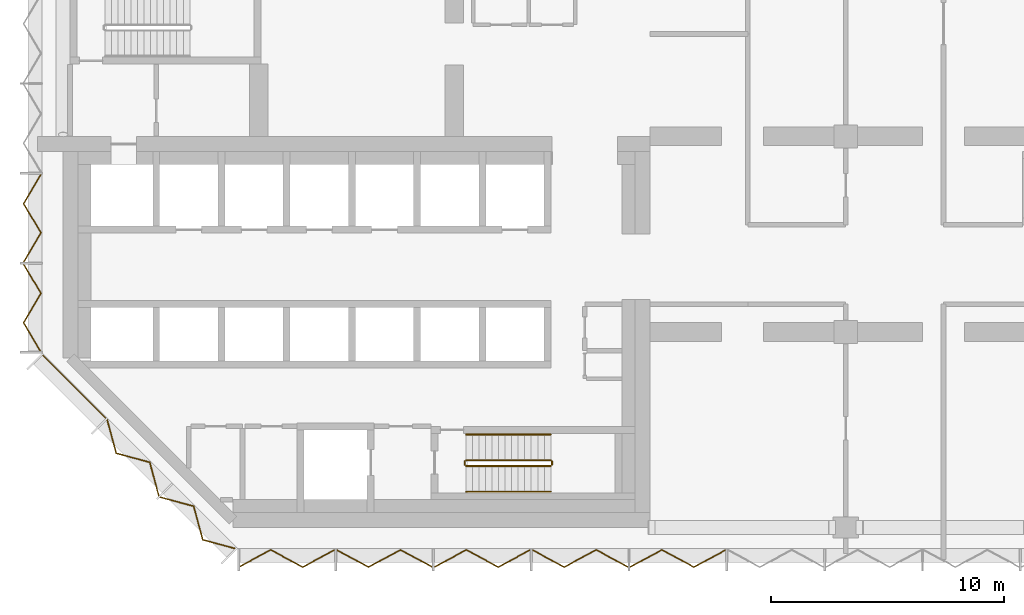
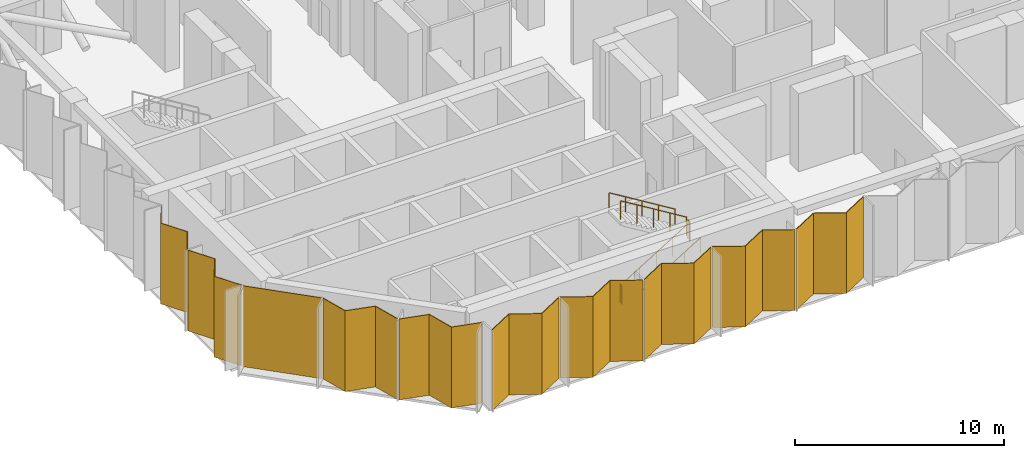
# One storey, part 9 of 13: 10 coverings, 6 railings, 3 elements without a shape of their own.
"""IFC4 building model written with IfcOpenShell, lengths in metres."""

from ifc_helpers import new_model, si_unit, direction, frame, origin, origin_2d, place, context, subcontext, project, spatial, polyline, circle, outline, extrude, material, layer, layer_set, type_object, element, aggregate, save


model = new_model("IFC4")

# Units and contexts
model_context = context("Model", 3, precision=1e-05, world=origin(), true_north=direction((0.0, 1.0)))
body_context = subcontext(model_context, "Body", "Model", "MODEL_VIEW")
ifc_project = project(units=[si_unit("LENGTHUNIT", "METRE"), si_unit("AREAUNIT", "SQUARE_METRE"), si_unit("VOLUMEUNIT", "CUBIC_METRE"), si_unit("PLANEANGLEUNIT", "RADIAN"), si_unit("MASSUNIT", "GRAM", prefix="KILO")], contexts=[model_context])

# Site, building, storey
site_placement = place(None, origin())
site = spatial("IfcSite", under=ifc_project, at=site_placement, CompositionType="ELEMENT")
building_placement = place(site_placement, origin())
building = spatial("IfcBuilding", under=site, at=building_placement, Name="Brevane Broadcast Tower", CompositionType="ELEMENT")
storey_placement = place(building_placement, frame((0.0, 0.0, 162.0)))
storey = spatial("IfcBuildingStorey", under=building, at=storey_placement, Name="L40", CompositionType="ELEMENT", Elevation=162.0)

# Curtain wall, coverings
ifc_material_1 = material(Name="Aluminium 6063-T6 bronze anodised", Category="aluminium")
curtain_wall_type = type_object("IfcCurtainWallType", Name="CW-3 curtain wall", PredefinedType="NOTDEFINED", material=ifc_material_1)
curtain_wall_1_placement = place(storey_placement, origin())
curtain_wall_1 = element("IfcCurtainWall", 1, at=curtain_wall_1_placement, inside=storey, type_object=curtain_wall_type, Name="CW-3 refuge louvre unit L40 south face", PredefinedType="NOTDEFINED")
ifc_material_2 = material(Name="Aluminium bronze anodised cladding", Category="aluminium")
ifc_layer = layer(ifc_material_2, 0.050048828125)
ifc_layer_set = layer_set([ifc_layer], Name="CW refuge spandrel 50")
covering_type = type_object("IfcCoveringType", Name="CW refuge spandrel 50", PredefinedType="CLADDING", material=ifc_layer_set)
covering_1_placement = place(storey_placement, frame((0.0, 0.0, -0.159912109375)))
covering_1 = element("IfcCovering", 2, at=covering_1_placement, type_object=covering_type, Name="Refuge cladding panel", PredefinedType="CLADDING", context=body_context, shape_type="SweptSolid", body=[
    extrude(outline(polyline([(7.5400390625, -1.671630859375), (7.5400390625, -1.717041015625), (8.913330078125, -0.97265625), (10.28662109375, -1.717041015625), (11.659912109375, -0.97265625), (11.659912109375, -0.92724609375), (10.28662109375, -1.671630859375), (8.913330078125, -0.92724609375), (7.5400390625, -1.671630859375)])), origin(), (0.0, 0.0, 1.0), 4.7099609375),
])
covering_2_placement = place(storey_placement, frame((0.0, 0.0, -0.159912109375)))
covering_2 = element("IfcCovering", 3, at=covering_2_placement, type_object=covering_type, Name="Refuge cladding panel", PredefinedType="CLADDING", context=body_context, shape_type="SweptSolid", body=[
    extrude(outline(polyline([(11.739990234375, -0.92724609375), (11.739990234375, -0.97265625), (13.11328125, -1.717041015625), (14.48681640625, -0.97265625), (15.860107421875, -1.717041015625), (15.860107421875, -1.671630859375), (14.48681640625, -0.92724609375), (13.11328125, -1.671630859375), (11.739990234375, -0.92724609375)])), origin(), (0.0, 0.0, 1.0), 4.7099609375),
])
covering_3_placement = place(storey_placement, frame((0.0, 0.0, -0.159912109375)))
covering_3 = element("IfcCovering", 4, at=covering_3_placement, type_object=covering_type, Name="Refuge cladding panel", PredefinedType="CLADDING", context=body_context, shape_type="SweptSolid", body=[
    extrude(outline(polyline([(15.93994140625, -1.671630859375), (15.93994140625, -1.717041015625), (17.313232421875, -0.97265625), (18.686767578125, -1.717041015625), (20.06005859375, -0.97265625), (20.06005859375, -0.92724609375), (18.686767578125, -1.671630859375), (17.313232421875, -0.92724609375), (15.93994140625, -1.671630859375)])), origin(), (0.0, 0.0, 1.0), 4.7099609375),
])
covering_4_placement = place(storey_placement, frame((0.0, 0.0, -0.159912109375)))
covering_4 = element("IfcCovering", 5, at=covering_4_placement, type_object=covering_type, Name="Refuge cladding panel", PredefinedType="CLADDING", context=body_context, shape_type="SweptSolid", body=[
    extrude(outline(polyline([(20.139892578125, -0.92724609375), (20.139892578125, -0.97265625), (21.51318359375, -1.717041015625), (22.88671875, -0.97265625), (24.260009765625, -1.717041015625), (24.260009765625, -1.671630859375), (22.88671875, -0.92724609375), (21.51318359375, -1.671630859375), (20.139892578125, -0.92724609375)])), origin(), (0.0, 0.0, 1.0), 4.7099609375),
])
covering_5_placement = place(storey_placement, frame((0.0, 0.0, -0.159912109375)))
covering_5 = element("IfcCovering", 6, at=covering_5_placement, type_object=covering_type, Name="Refuge cladding panel", PredefinedType="CLADDING", context=body_context, shape_type="SweptSolid", body=[
    extrude(outline(polyline([(24.340087890625, -1.671630859375), (24.340087890625, -1.717041015625), (25.71337890625, -0.97265625), (27.086669921875, -1.717041015625), (28.4599609375, -0.97265625), (28.4599609375, -0.92724609375), (27.086669921875, -1.671630859375), (25.71337890625, -0.92724609375), (24.340087890625, -1.671630859375)])), origin(), (0.0, 0.0, 1.0), 4.7099609375),
])
aggregate(curtain_wall_1, [covering_1, covering_2, covering_3, covering_4, covering_5])

curtain_wall_2_placement = place(storey_placement, origin())
curtain_wall_2 = element("IfcCurtainWall", 7, at=curtain_wall_2_placement, inside=storey, type_object=curtain_wall_type, Name="CW-3 refuge louvre unit L40 west face", PredefinedType="NOTDEFINED")
covering_6_placement = place(storey_placement, frame((0.0, 0.0, -0.159912109375)))
covering_6 = element("IfcCovering", 8, at=covering_6_placement, type_object=covering_type, Name="Refuge cladding panel", PredefinedType="CLADDING", context=body_context, shape_type="SweptSolid", body=[
    extrude(outline(polyline([(-0.9267578125, 15.17431640625), (-0.97314453125, 15.17431640625), (-1.717529296875, 13.915283203125), (-0.97314453125, 12.65625), (-1.717529296875, 11.397216796875), (-1.671142578125, 11.397216796875), (-0.9267578125, 12.65625), (-1.671142578125, 13.915283203125), (-0.9267578125, 15.17431640625)])), origin(), (0.0, 0.0, 1.0), 4.7099609375),
])
covering_7_placement = place(storey_placement, frame((0.0, 0.0, -0.159912109375)))
covering_7 = element("IfcCovering", 9, at=covering_7_placement, type_object=covering_type, Name="Refuge cladding panel", PredefinedType="CLADDING", context=body_context, shape_type="SweptSolid", body=[
    extrude(outline(polyline([(-1.671142578125, 11.317138671875), (-1.717529296875, 11.317138671875), (-0.97314453125, 10.05810546875), (-1.717529296875, 8.799072265625), (-0.97314453125, 7.5400390625), (-0.9267578125, 7.5400390625), (-1.671142578125, 8.799072265625), (-0.9267578125, 10.05810546875), (-1.671142578125, 11.317138671875)])), origin(), (0.0, 0.0, 1.0), 4.7099609375),
])
aggregate(curtain_wall_2, [covering_6, covering_7])

curtain_wall_3_placement = place(storey_placement, origin())
curtain_wall_3 = element("IfcCurtainWall", 10, at=curtain_wall_3_placement, inside=storey, type_object=curtain_wall_type, Name="CW-3 refuge louvre unit L40 south-west chamfer", PredefinedType="NOTDEFINED")
covering_8_placement = place(storey_placement, frame((0.0, 0.0, -0.159912109375)))
covering_8 = element("IfcCovering", 11, at=covering_8_placement, type_object=covering_type, Name="Refuge cladding panel", PredefinedType="CLADDING", context=body_context, shape_type="SweptSolid", body=[
    extrude(outline(polyline([(-0.892822265625, 7.450439453125), (1.8505859375, 4.70703125), (1.822265625, 4.6787109375), (-0.921142578125, 7.422119140625), (-0.892822265625, 7.450439453125)])), origin(), (0.0, 0.0, 1.0), 4.7099609375),
])
covering_9_placement = place(storey_placement, frame((0.0, 0.0, -0.159912109375)))
covering_9 = element("IfcCovering", 12, at=covering_9_placement, type_object=covering_type, Name="Refuge cladding panel", PredefinedType="CLADDING", context=body_context, shape_type="SweptSolid", body=[
    extrude(outline(polyline([(1.9091796875, 4.652587890625), (1.876708984375, 4.6201171875), (2.2646484375, 3.17919921875), (3.70556640625, 2.791015625), (4.09375, 1.35009765625), (4.126220703125, 1.3828125), (3.73828125, 2.82373046875), (2.29736328125, 3.2119140625), (1.9091796875, 4.652587890625)])), origin(), (0.0, 0.0, 1.0), 4.7099609375),
])
covering_10_placement = place(storey_placement, frame((0.0, 0.0, -0.159912109375)))
covering_10 = element("IfcCovering", 13, at=covering_10_placement, type_object=covering_type, Name="Refuge cladding panel", PredefinedType="CLADDING", context=body_context, shape_type="SweptSolid", body=[
    extrude(outline(polyline([(4.182861328125, 1.326416015625), (4.150146484375, 1.293701171875), (5.591064453125, 0.905517578125), (5.979248046875, -0.535400390625), (7.419921875, -0.92333984375), (7.45263671875, -0.890869140625), (6.01171875, -0.502685546875), (5.623779296875, 0.938232421875), (4.182861328125, 1.326416015625)])), origin(), (0.0, 0.0, 1.0), 4.7099609375),
])
aggregate(curtain_wall_3, [covering_8, covering_9, covering_10])

# Railings
ifc_material_3 = material(Name="Steel S355", Category="steel")
railing_type_1 = type_object("IfcRailingType", Name="Exit stair guard", PredefinedType="GUARDRAIL", material=ifc_material_3)
railing_1_placement = place(storey_placement, frame((17.300048828125, 2.64990234375, 0.17138671875)))
element("IfcRailing", 14, at=railing_1_placement, inside=storey, type_object=railing_type_1, Name="L40 ST-2 stair guard 1", PredefinedType="GUARDRAIL", context=body_context, shape_type="SweptSolid", body=[
    extrude(circle(Radius=0.02392578125, at=origin_2d()), frame((0.0, 0.0, 1.076171875), z_axis=(0.852850264322, 0.0, 0.5221555579), x_axis=(0.0, 1.0, 0.0)), (0.0, 0.0, 1.0), 4.267822265625),
    extrude(circle(Radius=0.02099609375, at=origin_2d()), origin(), (0.0, 0.0, 1.0), 1.052001953125),
    extrude(circle(Radius=0.02099609375, at=origin_2d()), frame((0.909912109375, 0.0, 0.55712890625)), (0.0, 0.0, 1.0), 1.052001953125),
    extrude(circle(Radius=0.02099609375, at=origin_2d()), frame((1.81982421875, 0.0, 1.1142578125)), (0.0, 0.0, 1.0), 1.052001953125),
    extrude(circle(Radius=0.02099609375, at=origin_2d()), frame((2.72998046875, 0.0, 1.67138671875)), (0.0, 0.0, 1.0), 1.052001953125),
    extrude(circle(Radius=0.02099609375, at=origin_2d()), frame((3.639892578125, 0.0, 2.228515625)), (0.0, 0.0, 1.0), 1.052001953125),
])
railing_2_placement = place(storey_placement, frame((20.989990234375, 2.699951171875, 2.39990234375)))
element("IfcRailing", 15, at=railing_2_placement, inside=storey, type_object=railing_type_1, Name="L40 ST-2 stair guard 2", PredefinedType="GUARDRAIL", context=body_context, shape_type="SweptSolid", body=[
    extrude(circle(Radius=0.02392578125, at=origin_2d()), frame((0.0, 0.0, 1.076171875), z_axis=(0.0, 1.0, 0.0), x_axis=(-1.0, 0.0, 0.0)), (0.0, 0.0, 1.0), 0.150146484375),
    extrude(circle(Radius=0.02099609375, at=origin_2d()), origin(), (0.0, 0.0, 1.0), 1.052001953125),
    extrude(circle(Radius=0.02099609375, at=origin_2d()), frame((0.0, 0.150146484375, 0.0)), (0.0, 0.0, 1.0), 1.052001953125),
])
railing_3_placement = place(storey_placement, frame((20.93994140625, 2.89990234375, 2.571533203125)))
element("IfcRailing", 16, at=railing_3_placement, inside=storey, type_object=railing_type_1, Name="L40 ST-2 stair guard 3", PredefinedType="GUARDRAIL", context=body_context, shape_type="SweptSolid", body=[
    extrude(circle(Radius=0.02392578125, at=origin_2d()), frame((0.0, 0.0, 1.076171875), z_axis=(-0.852850264322, 0.0, 0.5221555579), x_axis=(0.0, -1.0, 0.0)), (0.0, 0.0, 1.0), 4.267822265625),
    extrude(circle(Radius=0.02099609375, at=origin_2d()), origin(), (0.0, 0.0, 1.0), 1.052001953125),
    extrude(circle(Radius=0.02099609375, at=origin_2d()), frame((-0.909912109375, 0.0, 0.55712890625)), (0.0, 0.0, 1.0), 1.052001953125),
    extrude(circle(Radius=0.02099609375, at=origin_2d()), frame((-1.81982421875, 0.0, 1.1142578125)), (0.0, 0.0, 1.0), 1.052001953125),
    extrude(circle(Radius=0.02099609375, at=origin_2d()), frame((-2.72998046875, 0.0, 1.67138671875)), (0.0, 0.0, 1.0), 1.052001953125),
    extrude(circle(Radius=0.02099609375, at=origin_2d()), frame((-3.639892578125, 0.0, 2.228515625)), (0.0, 0.0, 1.0), 1.052001953125),
])
railing_4_placement = place(storey_placement, frame((17.25, 2.699951171875, 0.0)))
element("IfcRailing", 17, at=railing_4_placement, inside=storey, type_object=railing_type_1, Name="L40 ST-2 stair guard 4", PredefinedType="GUARDRAIL", context=body_context, shape_type="SweptSolid", body=[
    extrude(circle(Radius=0.02392578125, at=origin_2d()), frame((0.0, 0.0, 1.076171875), z_axis=(0.0, 1.0, 0.0), x_axis=(-1.0, 0.0, 0.0)), (0.0, 0.0, 1.0), 0.150146484375),
    extrude(circle(Radius=0.02099609375, at=origin_2d()), origin(), (0.0, 0.0, 1.0), 1.052001953125),
    extrude(circle(Radius=0.02099609375, at=origin_2d()), frame((0.0, 0.150146484375, 0.0)), (0.0, 0.0, 1.0), 1.052001953125),
])
railing_type_2 = type_object("IfcRailingType", Name="Exit stair handrail", PredefinedType="HANDRAIL", material=ifc_material_3)
railing_5_placement = place(storey_placement, frame((17.300048828125, 1.550048828125, 0.17138671875)))
element("IfcRailing", 18, at=railing_5_placement, inside=storey, type_object=railing_type_2, Name="L40 ST-2 stair handrail 1", PredefinedType="HANDRAIL", context=body_context, shape_type="SweptSolid", body=[
    extrude(circle(Radius=0.02392578125, at=origin_2d()), frame((0.0, 0.0, 0.8759765625), z_axis=(0.852850264322, 0.0, 0.5221555579), x_axis=(0.0, 1.0, 0.0)), (0.0, 0.0, 1.0), 4.267822265625),
    extrude(circle(Radius=0.02099609375, at=origin_2d()), origin(), (0.0, 0.0, 1.0), 0.851806640625),
    extrude(circle(Radius=0.02099609375, at=origin_2d()), frame((0.909912109375, 0.0, 0.55712890625)), (0.0, 0.0, 1.0), 0.851806640625),
    extrude(circle(Radius=0.02099609375, at=origin_2d()), frame((1.81982421875, 0.0, 1.1142578125)), (0.0, 0.0, 1.0), 0.851806640625),
    extrude(circle(Radius=0.02099609375, at=origin_2d()), frame((2.72998046875, 0.0, 1.67138671875)), (0.0, 0.0, 1.0), 0.851806640625),
    extrude(circle(Radius=0.02099609375, at=origin_2d()), frame((3.639892578125, 0.0, 2.228515625)), (0.0, 0.0, 1.0), 0.851806640625),
])
railing_6_placement = place(storey_placement, frame((20.93994140625, 4.0, 2.571533203125)))
element("IfcRailing", 19, at=railing_6_placement, inside=storey, type_object=railing_type_2, Name="L40 ST-2 stair handrail 2", PredefinedType="HANDRAIL", context=body_context, shape_type="SweptSolid", body=[
    extrude(circle(Radius=0.02392578125, at=origin_2d()), frame((0.0, 0.0, 0.8759765625), z_axis=(-0.852850264322, 0.0, 0.5221555579), x_axis=(0.0, -1.0, 0.0)), (0.0, 0.0, 1.0), 4.267822265625),
    extrude(circle(Radius=0.02099609375, at=origin_2d()), origin(), (0.0, 0.0, 1.0), 0.851806640625),
    extrude(circle(Radius=0.02099609375, at=origin_2d()), frame((-0.909912109375, 0.0, 0.55712890625)), (0.0, 0.0, 1.0), 0.851806640625),
    extrude(circle(Radius=0.02099609375, at=origin_2d()), frame((-1.81982421875, 0.0, 1.1142578125)), (0.0, 0.0, 1.0), 0.851806640625),
    extrude(circle(Radius=0.02099609375, at=origin_2d()), frame((-2.72998046875, 0.0, 1.67138671875)), (0.0, 0.0, 1.0), 0.851806640625),
    extrude(circle(Radius=0.02099609375, at=origin_2d()), frame((-3.639892578125, 0.0, 2.228515625)), (0.0, 0.0, 1.0), 0.851806640625),
])

save(model, "model.ifc")
